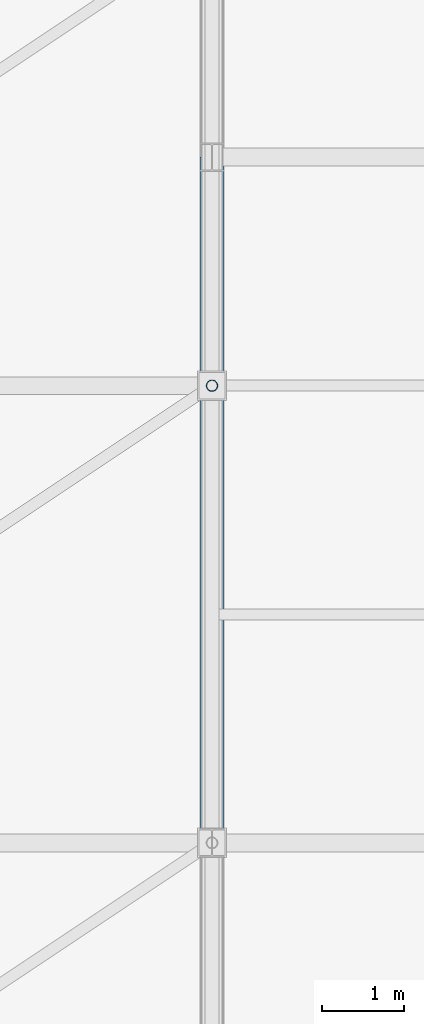
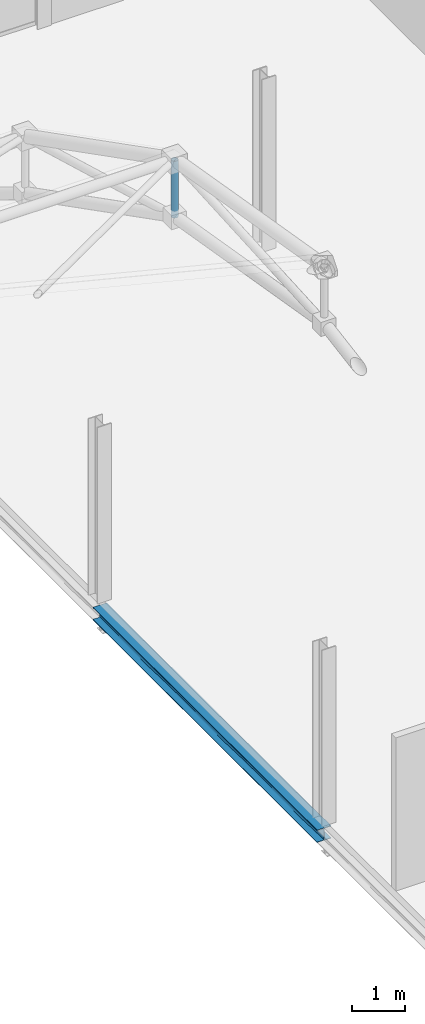
# One storey, part 90 of 184: 1 beam, 1 member.
"""IFC4 building model written with IfcOpenShell, lengths in metres."""

import ifcopenshell
import ifcopenshell.guid

model = None  # the IFC model being written
_history = None  # IfcOwnerHistory: only IFC2X3 demands one
_inside = {}  # id of a spatial element -> (the spatial element, [elements in it])
_under = {}  # id of a project, library or spatial element -> (it, [spatial elements below it])
_declared = {}  # id of a project -> (the project, [libraries it declares])
_typed = {}  # id of a type object -> (the type object, [elements of that type])
_made_of = {}  # id of a material, layer set ... -> (it, [elements and type objects made of it])


def new_model(schema):
    """Start an empty IFC model of exactly this schema.

    Asked for "IFC4X3", IfcOpenShell would pick the latest addendum, in which some entities
    have other attributes; the version numbers below select the first issue.
    IFC2X3 requires an IfcOwnerHistory on every rooted entity: one is made here for all.
    """
    global model, _history
    if schema == "IFC4X3":
        model = ifcopenshell.file(schema_version=(4, 3, 0, 0))
    else:
        model = ifcopenshell.file(schema=schema)
    _inside.clear()
    _under.clear()
    _declared.clear()
    _typed.clear()
    _made_of.clear()
    _history = None
    if model.schema == "IFC2X3":
        org = make("IfcOrganization", Name="unknown")
        user = make(
            "IfcPersonAndOrganization",
            ThePerson=make("IfcPerson", FamilyName="unknown"),
            TheOrganization=org,
        )
        app = make(
            "IfcApplication",
            ApplicationDeveloper=org,
            Version="unknown",
            ApplicationFullName="unknown",
            ApplicationIdentifier="unknown",
        )
        _history = make(
            "IfcOwnerHistory",
            OwningUser=user,
            OwningApplication=app,
            ChangeAction="ADDED",
            CreationDate=0,
        )
    return model


def make(cls, **values):
    """One entity of the class cls with the attributes given. An attribute that is None is left unset."""
    return model.create_entity(
        cls, **{name: value for name, value in values.items() if value is not None}
    )


def rooted(cls, **values):
    """An entity with a GlobalId (a new one), such as an element, a storey or a relation."""
    return make(cls, GlobalId=ifcopenshell.guid.new(), OwnerHistory=_history, **values)


def si_unit(unit_type, name, prefix=None):
    """IfcSIUnit, for example si_unit("LENGTHUNIT", "METRE", prefix="MILLI")."""
    return make("IfcSIUnit", UnitType=unit_type, Prefix=prefix, Name=name)


def assignment(units):
    """IfcUnitAssignment: the units of a project."""
    return None if units is None else make("IfcUnitAssignment", Units=units)


def point(xyz):
    """IfcCartesianPoint."""
    return None if xyz is None else make("IfcCartesianPoint", Coordinates=xyz)


def direction(xyz):
    """IfcDirection."""
    return None if xyz is None else make("IfcDirection", DirectionRatios=xyz)


def frame(location, z_axis=None, x_axis=None):
    """IfcAxis2Placement3D, a coordinate frame: its origin and axes. An axis left out is left unset."""
    return make(
        "IfcAxis2Placement3D",
        Location=point(location),
        Axis=direction(z_axis),
        RefDirection=direction(x_axis),
    )


def frame_2d(location, x_axis=None):
    """IfcAxis2Placement2D, a coordinate frame in the plane: its origin and x axis."""
    return make(
        "IfcAxis2Placement2D", Location=point(location), RefDirection=direction(x_axis)
    )


def origin():
    """The frame at (0, 0, 0) with its axes left unset."""
    return frame((0.0, 0.0, 0.0))


def origin_2d():
    """The frame at (0, 0) in the plane with its x axis left unset."""
    return frame_2d((0.0, 0.0))


def place(relative_to, where):
    """IfcLocalPlacement: puts the frame where relative to a parent placement (None: the world)."""
    return make(
        "IfcLocalPlacement", PlacementRelTo=relative_to, RelativePlacement=where
    )


def context(
    kind, dimensions, precision=None, world=None, true_north=None, identifier=None
):
    """IfcGeometricRepresentationContext, for example the 3D "Model" context."""
    return make(
        "IfcGeometricRepresentationContext",
        ContextIdentifier=identifier,
        ContextType=kind,
        CoordinateSpaceDimension=dimensions,
        Precision=precision,
        WorldCoordinateSystem=world,
        TrueNorth=true_north,
    )


def subcontext(parent, identifier, kind, view, scale=None):
    """IfcGeometricRepresentationSubContext, for example "Body" below "Model"."""
    return make(
        "IfcGeometricRepresentationSubContext",
        ContextIdentifier=identifier,
        ContextType=kind,
        ParentContext=parent,
        TargetScale=scale,
        TargetView=view,
    )


def project(units=None, contexts=None):
    """IfcProject with its units and contexts."""
    return rooted(
        "IfcProject",
        Name="project",
        RepresentationContexts=contexts,
        UnitsInContext=assignment(units),
    )


def spatial(cls, under=None, at=None, **own):
    """A site, building, storey or space (cls), placed at a placement, below another one or the project."""
    s = rooted(cls, ObjectPlacement=at, **own)
    if under is not None:
        _under.setdefault(under.id(), (under, []))[1].append(s)
    return s


def profile(cls, at=None, kind="AREA", **sizes):
    """A parametric profile (cls). Its sizes go by their IFC names, for example OverallWidth=200.0."""
    return make(cls, ProfileType=kind, Position=at, **sizes)


def hollow_circle(**sizes):
    """IfcCircleHollowProfileDef."""
    return profile("IfcCircleHollowProfileDef", **sizes)


def i_section(**sizes):
    """IfcIShapeProfileDef."""
    return profile("IfcIShapeProfileDef", **sizes)


def extrude(swept, where, along, depth):
    """IfcExtrudedAreaSolid: the profile swept, set in the frame where, extruded along a direction by depth."""
    return make(
        "IfcExtrudedAreaSolid",
        SweptArea=swept,
        Position=where,
        ExtrudedDirection=direction(along),
        Depth=depth,
    )


def shape(context_of_items, identifier, shape_type, items):
    """IfcShapeRepresentation: the items that make up one representation, for example the "Body"."""
    return make(
        "IfcShapeRepresentation",
        ContextOfItems=context_of_items,
        RepresentationIdentifier=identifier,
        RepresentationType=shape_type,
        Items=items,
    )


def material(Name=None, Category=None):
    """IfcMaterial."""
    return make("IfcMaterial", Name=Name, Category=Category)


def material_profile(
    of_material, cross_section, Name=None, Category=None, Priority=None
):
    """IfcMaterialProfile: a cross section and its material."""
    return make(
        "IfcMaterialProfile",
        Name=Name,
        Material=of_material,
        Profile=cross_section,
        Priority=Priority,
        Category=Category,
    )


def profile_set(profiles, Name=None, composite=None):
    """IfcMaterialProfileSet."""
    return make(
        "IfcMaterialProfileSet",
        Name=Name,
        MaterialProfiles=profiles,
        CompositeProfile=composite,
    )


def made_of(thing, what):
    """Note that an element or type object is made of a material, layer set ...; save() writes the relation."""
    if what is not None:
        _made_of.setdefault(what.id(), (what, []))[1].append(thing)
    return thing


def type_object(cls, material=None, **own):
    """A type object (cls), such as IfcWallType, which elements share."""
    return made_of(rooted(cls, **own), material)


def element(
    cls,
    number,
    at=None,
    inside=None,
    cuts=None,
    type_object=None,
    material=None,
    context=None,
    identifier="Body",
    shape_type=None,
    held_by="IfcProductDefinitionShape",
    body=None,
    shapes=None,
    **own,
):
    """One element of the class cls, such as IfcWall. Its Tag is "e" and its number.

    at: its placement. inside: the storey or other place that contains it. cuts: it is an
    opening in that element (IfcRelVoidsElement). A single representation is given by context,
    identifier, shape_type and body (its items); several are given by shapes. held_by: the class
    of the entity that holds the representations. save() writes the other relations.
    """
    e = rooted(cls, Tag="e%d" % number, ObjectPlacement=at, **own)
    if body is not None:
        shapes = [shape(context, identifier, shape_type, body)]
    if shapes is not None:
        e.Representation = make(held_by, Representations=shapes)
    if inside is not None:
        _inside.setdefault(inside.id(), (inside, []))[1].append(e)
    if cuts is not None:
        rooted(
            "IfcRelVoidsElement", RelatingBuildingElement=cuts, RelatedOpeningElement=e
        )
    if type_object is not None:
        _typed.setdefault(type_object.id(), (type_object, []))[1].append(e)
    return made_of(e, material)


def aggregate(whole, parts):
    """IfcRelAggregates: a whole, such as a stair, and the parts it consists of."""
    return rooted("IfcRelAggregates", RelatingObject=whole, RelatedObjects=parts)


def save(model, path):
    """Write the relations noted so far, then the file.

    IfcRelAggregates (storeys below a building ...), IfcRelContainedInSpatialStructure (elements
    in a storey), IfcRelDefinesByType, IfcRelAssociatesMaterial and IfcRelDeclares: one each for
    every whole, place, type object, material and project.
    """
    for whole, parts in _under.values():
        aggregate(whole, parts)
    for where, things in _inside.values():
        rooted(
            "IfcRelContainedInSpatialStructure",
            RelatedElements=things,
            RelatingStructure=where,
        )
    for kind, things in _typed.values():
        rooted("IfcRelDefinesByType", RelatedObjects=things, RelatingType=kind)
    for what, things in _made_of.values():
        rooted("IfcRelAssociatesMaterial", RelatedObjects=things, RelatingMaterial=what)
    for by, libraries in _declared.values():
        rooted("IfcRelDeclares", RelatingContext=by, RelatedDefinitions=libraries)
    model.write(path)


model = new_model("IFC4")

# Units and contexts
model_context = context("Model", 3, precision=1e-05, world=origin(), true_north=direction((0.0, 1.0)))
body_context = subcontext(model_context, "Body", "Model", "MODEL_VIEW")
ifc_project = project(units=[si_unit("LENGTHUNIT", "METRE"), si_unit("AREAUNIT", "SQUARE_METRE"), si_unit("VOLUMEUNIT", "CUBIC_METRE"), si_unit("PLANEANGLEUNIT", "RADIAN"), si_unit("MASSUNIT", "GRAM", prefix="KILO")], contexts=[model_context])

# Site, building, storey
site_placement = place(None, origin())
site = spatial("IfcSite", under=ifc_project, at=site_placement, CompositionType="ELEMENT")
building_placement = place(site_placement, origin())
building = spatial("IfcBuilding", under=site, at=building_placement, Name="Qalvenar Corner Mobility Hub", CompositionType="ELEMENT")
storey_placement = place(building_placement, frame((0.0, 0.0, 9.0)))
storey = spatial("IfcBuildingStorey", under=building, at=storey_placement, Name="L02", CompositionType="ELEMENT", Elevation=9.0)

# Beam
ifc_material_1 = material(Name="Steel S355", Category="steel")
ifc_material_profile_1 = material_profile(ifc_material_1, i_section(OverallWidth=0.300048828125, OverallDepth=0.2900390625, WebThickness=0.008544921875, FlangeThickness=0.013916015625, FilletRadius=0.027099609375, at=origin_2d()), Name="HEA300")
ifc_profile_set_1 = profile_set([ifc_material_profile_1], Name="Steel S355")
beam_type = type_object("IfcBeamType", Name="BM-SPN300", PredefinedType="SPANDREL", material=ifc_profile_set_1)
beam_placement = place(storey_placement, frame((109.199951171875, 16.800048828125, -0.324951171875), z_axis=(0.0, 1.0, 0.0), x_axis=(-1.0, 0.0, 0.0)))
element("IfcBeam", 1, at=beam_placement, inside=storey, type_object=beam_type, Name="Primary Steel Girder GY-1713", PredefinedType="SPANDREL", context=body_context, shape_type="SweptSolid", body=[
    extrude(i_section(OverallWidth=0.300048828125, OverallDepth=0.2900390625, WebThickness=0.008544921875, FlangeThickness=0.013916015625, FilletRadius=0.027099609375, at=origin_2d()), origin(), (0.0, 0.0, 1.0), 8.39990234375),
])

# Member
ifc_material_2 = material(Name="Steel S355", Category="steel")
ifc_material_profile_2 = material_profile(ifc_material_2, hollow_circle(Radius=0.06982421875, WallThickness=0.0048828125, at=origin_2d()), Name="CHS139.7x5")
ifc_profile_set_2 = profile_set([ifc_material_profile_2], Name="Steel S355")
member_type = type_object("IfcMemberType", Name="SF-STR139", PredefinedType="STRUT", material=ifc_profile_set_2)
member_placement = place(storey_placement, frame((109.199951171875, 22.39990234375, 10.404296875), z_axis=(0.0, 0.0, 1.0), x_axis=(1.0, 0.0, 0.0)))
element("IfcMember", 2, at=member_placement, inside=storey, type_object=member_type, Name="Space Frame King Strut SFV-0167", PredefinedType="STRUT", context=body_context, shape_type="SweptSolid", body=[
    extrude(hollow_circle(Radius=0.06982421875, WallThickness=0.0048828125, at=origin_2d()), origin(), (0.0, 0.0, 1.0), 1.300048828125),
])

save(model, "model.ifc")
